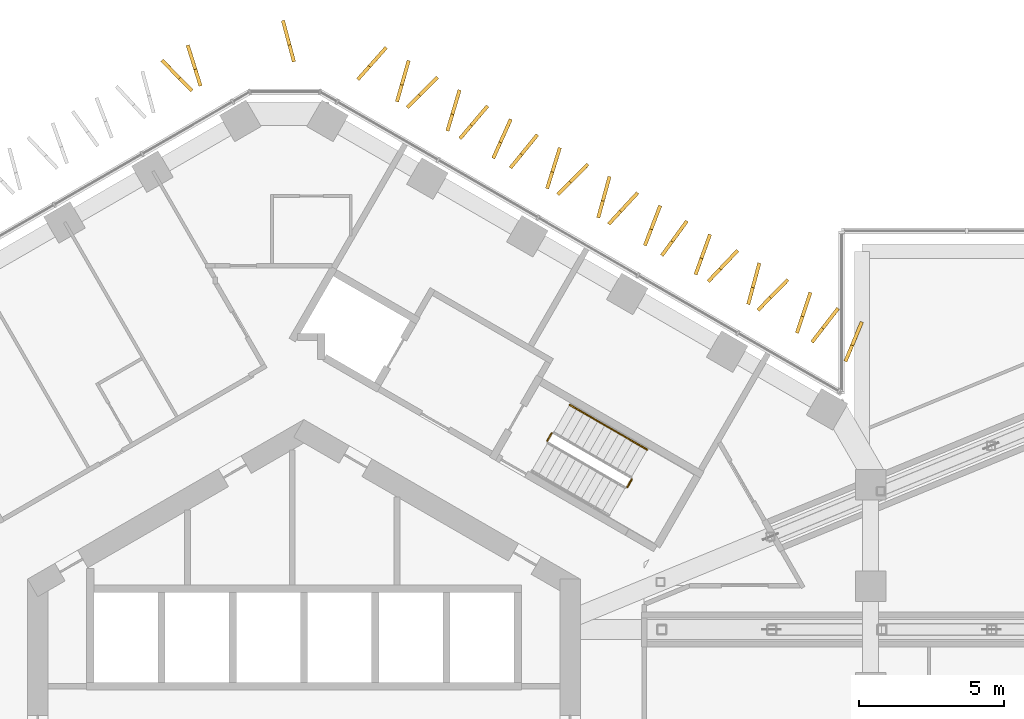
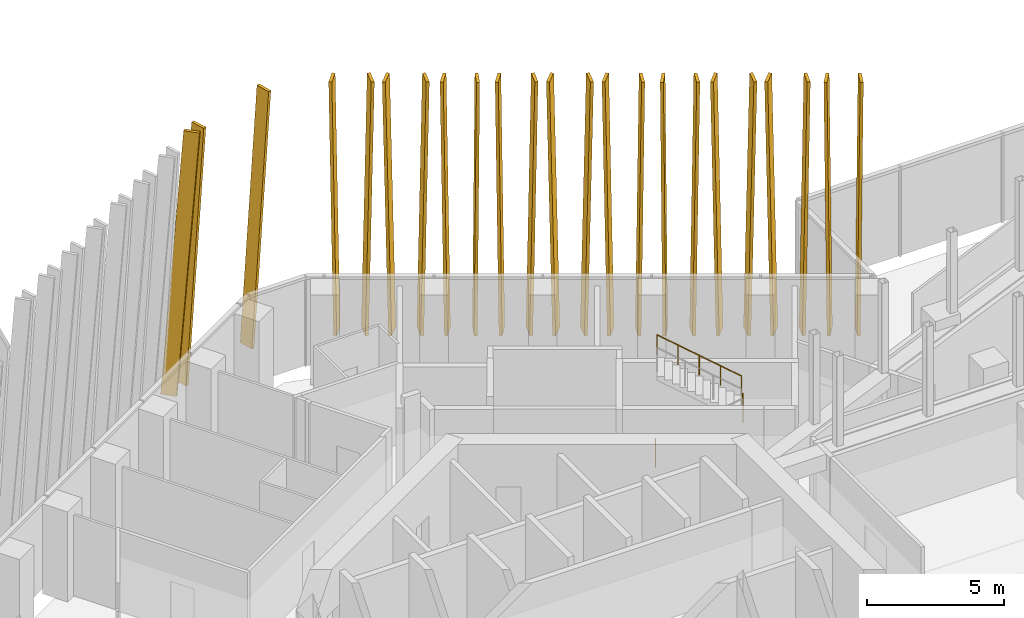
# One storey, part 28 of 28: 23 shading devices, 4 railings.
"""IFC4 building model written with IfcOpenShell, lengths in metres."""

from ifc_helpers import new_model, si_unit, direction, frame, origin, origin_2d, place, context, subcontext, project, spatial, polyline, circle, outline, extrude, material, layer, layer_set, type_object, element, save


model = new_model("IFC4")

# Units and contexts
model_context = context("Model", 3, precision=1e-05, world=origin(), true_north=direction((0.0, 1.0)))
body_context = subcontext(model_context, "Body", "Model", "MODEL_VIEW")
ifc_project = project(units=[si_unit("LENGTHUNIT", "METRE"), si_unit("AREAUNIT", "SQUARE_METRE"), si_unit("VOLUMEUNIT", "CUBIC_METRE"), si_unit("PLANEANGLEUNIT", "RADIAN"), si_unit("MASSUNIT", "GRAM", prefix="KILO")], contexts=[model_context])

# Site, building, storey
site_placement = place(None, origin())
site = spatial("IfcSite", under=ifc_project, at=site_placement, CompositionType="ELEMENT")
building_placement = place(site_placement, origin())
building = spatial("IfcBuilding", under=site, at=building_placement, Name="Ayvan Gate Tower", CompositionType="ELEMENT")
storey_placement = place(building_placement, frame((0.0, 0.0, 120.5)))
storey = spatial("IfcBuildingStorey", under=building, at=storey_placement, Name="L32", CompositionType="ELEMENT", Elevation=120.5)

# Shading devices
ifc_material_1 = material(Name="Bronze anodised aluminium", Category="aluminium")
ifc_layer = layer(ifc_material_1, 0.1201171875)
ifc_layer_set = layer_set([ifc_layer], Name="Bronze anodised aluminium")
shading_device_type = type_object("IfcShadingDeviceType", Name="Bronze fin 600 x 120", PredefinedType="USERDEFINED", material=ifc_layer_set)
shading_device_1_placement = place(storey_placement, frame((19.00537109375, 13.7470703125, 0.0), z_axis=(0.923845677537, -0.382765136442, 0.000120082659), x_axis=(0.382765139199, 0.923845684199, 2.2577e-08)))
element("IfcShadingDevice", 1, at=shading_device_1_placement, inside=storey, type_object=shading_device_type, Name="Bronze fin FG11.6.73", ObjectType="FIN", PredefinedType="USERDEFINED", context=body_context, shape_type="SweptSolid", body=[
    extrude(outline(polyline([(0.0, 0.0), (0.5998361655224207, 0.0), (-0.2714630133606965, 11.87988290428173), (-0.8713926274034297, 11.879882931368275), (0.0, 0.0)])), origin(), (0.0, 0.0, -1.0), 0.1201171875),
])
shading_device_2_placement = place(storey_placement, frame((18.046875, 14.2822265625, 0.0), z_axis=(0.792268362819, -0.610172783794, 0.000123258537), x_axis=(0.610172788427, 0.792268368839, 1.9871e-08)))
element("IfcShadingDevice", 2, at=shading_device_2_placement, inside=storey, type_object=shading_device_type, Name="Bronze fin FG11.6.74", ObjectType="FIN", PredefinedType="USERDEFINED", context=body_context, shape_type="SweptSolid", body=[
    extrude(outline(polyline([(0.0, 0.0), (0.5999012509721946, -6.776263578034403e-21), (-0.2713785173449857, 11.879882908136116), (-0.8714287362831049, 11.879882931980346), (0.0, 0.0)])), origin(), (0.0, 0.0, -1.0), 0.1201171875),
])
shading_device_3_placement = place(storey_placement, frame((17.28125, 14.751953125, 0.0), z_axis=(0.949312108508, -0.314335020927, 0.000123531062), x_axis=(0.314335023322, 0.949312115752, 2.386e-08)))
element("IfcShadingDevice", 3, at=shading_device_3_placement, inside=storey, type_object=shading_device_type, Name="Bronze fin FG11.6.75", ObjectType="FIN", PredefinedType="USERDEFINED", context=body_context, shape_type="SweptSolid", body=[
    extrude(outline(polyline([(0.0, 0.0), (0.5999540537240066, 3.3881317890172014e-21), (-0.27129234133792024, 11.879882909616194), (-0.8713231370109802, 11.879882938248283), (0.0, 0.0)])), origin(), (0.0, 0.0, -1.0), 0.1201171875),
])
shading_device_4_placement = place(storey_placement, frame((16.263916015625, 15.312255859375, 0.0), z_axis=(0.715399826009, -0.698715302195, 0.0001241977), x_axis=(0.698715307583, 0.715399831527, 0.0)))
element("IfcShadingDevice", 4, at=shading_device_4_placement, inside=storey, type_object=shading_device_type, Name="Bronze fin FG11.6.76", ObjectType="FIN", PredefinedType="USERDEFINED", context=body_context, shape_type="SweptSolid", body=[
    extrude(outline(polyline([(0.0, 0.0), (0.599943136461154, 0.0), (-0.2713813286036054, 11.879882904124004), (-0.8713244650647596, 11.879882904124004), (0.0, 0.0)])), origin(), (0.0, 0.0, -1.0), 0.1201171875),
])
shading_device_5_placement = place(storey_placement, frame((15.559814453125, 15.7548828125, 0.0), z_axis=(0.965706066065, -0.259637787674, 0.000114793979), x_axis=(0.259637789384, 0.965706072428, 0.0)))
element("IfcShadingDevice", 5, at=shading_device_5_placement, inside=storey, type_object=shading_device_type, Name="Bronze fin FG11.6.77", ObjectType="FIN", PredefinedType="USERDEFINED", context=body_context, shape_type="SweptSolid", body=[
    extrude(outline(polyline([(0.0, 0.0), (0.599919291869627, -3.3881317890172014e-21), (-0.27137949700230046, 11.879882890774516), (-0.8712987888719276, 11.879882890774516), (0.0, 0.0)])), origin(), (0.0, 0.0, -1.0), 0.1201171875),
])
shading_device_6_placement = place(storey_placement, frame((14.54296875, 16.305419921875, 0.0), z_axis=(0.725578302546, -0.688139601573, 0.000124984673), x_axis=(0.688139606948, 0.725578308213, 0.0)))
element("IfcShadingDevice", 6, at=shading_device_6_placement, inside=storey, type_object=shading_device_type, Name="Bronze fin FG11.6.78", ObjectType="FIN", PredefinedType="USERDEFINED", context=body_context, shape_type="SweptSolid", body=[
    extrude(outline(polyline([(0.0, 0.0), (0.5999390134016378, 0.0), (-0.27126297874266503, 11.879882905288827), (-0.8712019921443028, 11.879882905288827), (0.0, 0.0)])), origin(), (0.0, 0.0, -1.0), 0.1201171875),
])
shading_device_7_placement = place(storey_placement, frame((13.814697265625, 16.749755859375, 0.0), z_axis=(0.941105056333, -0.338114267969, 0.000121410706), x_axis=(0.338114270461, 0.941105063269, 0.0)))
element("IfcShadingDevice", 7, at=shading_device_7_placement, inside=storey, type_object=shading_device_type, Name="Bronze fin FG11.6.79", ObjectType="FIN", PredefinedType="USERDEFINED", context=body_context, shape_type="SweptSolid", body=[
    extrude(outline(polyline([(0.0, 0.0), (0.600036369651949, 0.0), (-0.27109231397345007, 11.879882900058062), (-0.8711286836253991, 11.879882900058062), (0.0, 0.0)])), origin(), (0.0, 0.0, -1.0), 0.1201171875),
])
shading_device_8_placement = place(storey_placement, frame((12.86474609375, 17.27490234375, 0.0), z_axis=(0.809588682714, -0.586997574675, 0.000110212496), x_axis=(0.586997578239, 0.809588687632, 4.993e-09)))
element("IfcShadingDevice", 8, at=shading_device_8_placement, inside=storey, type_object=shading_device_type, Name="Bronze fin FG11.6.80", ObjectType="FIN", PredefinedType="USERDEFINED", context=body_context, shape_type="SweptSolid", body=[
    extrude(outline(polyline([(0.0, 0.0), (0.5997857440235584, 0.0), (-0.2714497604381098, 11.879882886006568), (-0.8715764679054845, 11.879882891997607), (0.0, 0.0)])), origin(), (0.0, 0.0, -1.0), 0.1201171875),
])
shading_device_9_placement = place(storey_placement, frame((12.09033203125, 17.74267578125, 0.0), z_axis=(0.93382203338, -0.357737880733, 0.000136614407), x_axis=(0.35773788407, 0.933822042094, 9.943e-09)))
element("IfcShadingDevice", 9, at=shading_device_9_placement, inside=storey, type_object=shading_device_type, Name="Bronze fin FG11.6.81", ObjectType="FIN", PredefinedType="USERDEFINED", context=body_context, shape_type="SweptSolid", body=[
    extrude(outline(polyline([(0.0, 0.0), (0.5999934537851288, 6.776263578034403e-21), (-0.2714758928074142, 11.879882926059405), (-0.8712413626955473, 11.879882937988816), (0.0, 0.0)])), origin(), (0.0, 0.0, -1.0), 0.1201171875),
])
shading_device_10_placement = place(storey_placement, frame((11.1123046875, 18.285888671875, 0.0), z_axis=(0.735310261966, -0.677730626068, 0.000130912034), x_axis=(0.677730631877, 0.735310268265, -1.9583e-08)))
element("IfcShadingDevice", 10, at=shading_device_10_placement, inside=storey, type_object=shading_device_type, Name="Bronze fin FG11.6.82", ObjectType="FIN", PredefinedType="USERDEFINED", context=body_context, shape_type="SweptSolid", body=[
    extrude(outline(polyline([(0.0, 0.0), (0.6000500213529086, -6.776263578034403e-21), (-0.27136914549724156, 11.879882908984344), (-0.8712537052701022, 11.879882885486373), (0.0, 0.0)])), origin(), (0.0, 0.0, -1.0), 0.1201171875),
])
shading_device_11_placement = place(storey_placement, frame((10.406494140625, 18.7294921875, 0.0), z_axis=(0.964660437844, -0.263496154188, 0.000128012531), x_axis=(0.26349615635, 0.964660445747, -1.8259e-08)))
element("IfcShadingDevice", 11, at=shading_device_11_placement, inside=storey, type_object=shading_device_type, Name="Bronze fin FG11.6.83", ObjectType="FIN", PredefinedType="USERDEFINED", context=body_context, shape_type="SweptSolid", body=[
    extrude(outline(polyline([(0.0, 0.0), (0.6000867739699478, 3.3881317890172014e-21), (-0.27146913491425306, 11.879882904882404), (-0.8712560659637671, 11.87988288297435), (0.0, 0.0)])), origin(), (0.0, 0.0, -1.0), 0.1201171875),
])
shading_device_12_placement = place(storey_placement, frame((9.384765625, 19.2841796875, 0.0), z_axis=(0.710253259484, -0.703946226816, 0.000130939728), x_axis=(0.703946232852, 0.710253265571, -1.8756e-08)))
element("IfcShadingDevice", 12, at=shading_device_12_placement, inside=storey, type_object=shading_device_type, Name="Bronze fin FG11.6.84", ObjectType="FIN", PredefinedType="USERDEFINED", context=body_context, shape_type="SweptSolid", body=[
    extrude(outline(polyline([(0.0, 0.0), (0.599906965638277, -6.776263578034403e-21), (-0.27137583285831435, 11.879882909251672), (-0.871456200172756, 11.879882886744873), (0.0, 0.0)])), origin(), (0.0, 0.0, -1.0), 0.1201171875),
])
shading_device_13_placement = place(storey_placement, frame((8.67724609375, 19.72216796875, 0.0), z_axis=(0.954877282543, -0.297000603433, 0.00012978068), x_axis=(0.297000605934, 0.954877290585, 0.0)))
element("IfcShadingDevice", 13, at=shading_device_13_placement, inside=storey, type_object=shading_device_type, Name="Bronze fin FG11.6.85", ObjectType="FIN", PredefinedType="USERDEFINED", context=body_context, shape_type="SweptSolid", body=[
    extrude(outline(polyline([(0.0, 0.0), (0.6000750594078798, 0.0), (-0.2712420054500185, 11.879882912546584), (-0.8713170648578983, 11.879882912546584), (0.0, 0.0)])), origin(), (0.0, 0.0, -1.0), 0.1201171875),
])
shading_device_14_placement = place(storey_placement, frame((7.696044921875, 20.2578125, 0.0), z_axis=(0.776263308326, -0.630408803067, 0.000131008618), x_axis=(0.630408808474, 0.776263314989, 2.069e-08)))
element("IfcShadingDevice", 14, at=shading_device_14_placement, inside=storey, type_object=shading_device_type, Name="Bronze fin FG11.6.86", ObjectType="FIN", PredefinedType="USERDEFINED", context=body_context, shape_type="SweptSolid", body=[
    extrude(outline(polyline([(0.0, 0.0), (0.6000033323549984, -6.776263578034403e-21), (-0.2711111150997367, 11.879882920058101), (-0.8712683558552415, 11.8798829448897), (0.0, 0.0)])), origin(), (0.0, 0.0, -1.0), 0.1201171875),
])
shading_device_15_placement = place(storey_placement, frame((6.919921875, 20.72119140625, 0.0), z_axis=(0.912548596802, -0.408968267463, 0.000121176898), x_axis=(0.408968270464, 0.912548603502, 1.0081e-08)))
element("IfcShadingDevice", 15, at=shading_device_15_placement, inside=storey, type_object=shading_device_type, Name="Bronze fin FG11.6.87", ObjectType="FIN", PredefinedType="USERDEFINED", context=body_context, shape_type="SweptSolid", body=[
    extrude(outline(polyline([(0.0, 0.0), (0.6000633861014633, 0.0), (-0.27139260268431425, 11.879882902457181), (-0.8712331985993758, 11.879882914553935), (0.0, 0.0)])), origin(), (0.0, 0.0, -1.0), 0.1201171875),
])
shading_device_16_placement = place(storey_placement, frame((5.972900390625, 21.252685546875, 0.0), z_axis=(0.763918473622, -0.64531275588, 0.000112945762), x_axis=(0.645312759998, 0.763918478494, -1.483e-08)))
element("IfcShadingDevice", 16, at=shading_device_16_placement, inside=storey, type_object=shading_device_type, Name="Bronze fin FG11.6.88", ObjectType="FIN", PredefinedType="USERDEFINED", context=body_context, shape_type="SweptSolid", body=[
    extrude(outline(polyline([(0.0, 0.0), (0.5999367728244758, 6.776263578034403e-21), (-0.2711870937303049, 11.879882884252583), (-0.8713103700895692, 11.879882866455544), (0.0, 0.0)])), origin(), (0.0, 0.0, -1.0), 0.1201171875),
])
shading_device_17_placement = place(storey_placement, frame((5.2392578125, 21.709228515625, 0.0), z_axis=(0.95869541558, -0.284434675505, 0.000124566977), x_axis=(0.284434677712, 0.958695423018, 0.0)))
element("IfcShadingDevice", 17, at=shading_device_17_placement, inside=storey, type_object=shading_device_type, Name="Bronze fin FG11.6.89", ObjectType="FIN", PredefinedType="USERDEFINED", context=body_context, shape_type="SweptSolid", body=[
    extrude(outline(polyline([(0.0, 0.0), (0.5999771133667294, 3.3881317890172014e-21), (-0.27139645906102944, 11.879882904669666), (-0.8713735724277589, 11.879882904669666), (0.0, 0.0)])), origin(), (0.0, 0.0, -1.0), 0.1201171875),
])
shading_device_18_placement = place(storey_placement, frame((4.208251953125, 22.27294921875, 0.0), z_axis=(0.707513510259, -0.706699808695, 0.000114856334), x_axis=(0.706699813356, 0.707513514926, 0.0)))
element("IfcShadingDevice", 18, at=shading_device_18_placement, inside=storey, type_object=shading_device_type, Name="Bronze fin FG11.6.90", ObjectType="FIN", PredefinedType="USERDEFINED", context=body_context, shape_type="SweptSolid", body=[
    extrude(outline(polyline([(0.0, 0.0), (0.600074115784975, 0.0), (-0.27120647495357014, 11.879882890859573), (-0.8712805907385452, 11.879882890859573), (0.0, 0.0)])), origin(), (0.0, 0.0, -1.0), 0.1201171875),
])
shading_device_19_placement = place(storey_placement, frame((3.49560546875, 22.71826171875, 0.0), z_axis=(0.962629384897, -0.27082217529, 0.000129246567), x_axis=(0.270822177556, 0.962629392936, -3.2442e-08)))
element("IfcShadingDevice", 19, at=shading_device_19_placement, inside=storey, type_object=shading_device_type, Name="Bronze fin FG11.6.91", ObjectType="FIN", PredefinedType="USERDEFINED", context=body_context, shape_type="SweptSolid", body=[
    extrude(outline(polyline([(0.0, 0.0), (0.5998501182971958, 3.3881317890172014e-21), (-0.27129691865129346, 11.879882902923368), (-0.8713159351944315, 11.879882863997143), (0.0, 0.0)])), origin(), (0.0, 0.0, -1.0), 0.1201171875),
])
shading_device_20_placement = place(storey_placement, frame((2.4765625, 23.271484375, 0.0), z_axis=(0.747768344061, -0.663959704846, 0.000118155269), x_axis=(0.663959709481, 0.747768349281, 0.0)))
element("IfcShadingDevice", 20, at=shading_device_20_placement, inside=storey, type_object=shading_device_type, Name="Bronze fin FG11.6.92", ObjectType="FIN", PredefinedType="USERDEFINED", context=body_context, shape_type="SweptSolid", body=[
    extrude(outline(polyline([(0.0, 0.0), (0.6000928886354551, 0.0), (-0.271255500314941, 11.879882895425547), (-0.8713483889503961, 11.879882895425547), (0.0, 0.0)])), origin(), (0.0, 0.0, -1.0), 0.1201171875),
])
shading_device_21_placement = place(storey_placement, frame((-0.508056640625, 24.125732421875, 0.0), z_axis=(0.966038788208, 0.258397064243, 0.000129879667), x_axis=(-0.258397066422, 0.966038796356, 0.0)))
element("IfcShadingDevice", 21, at=shading_device_21_placement, inside=storey, type_object=shading_device_type, Name="Bronze fin FG11.7.93", ObjectType="FIN", PredefinedType="USERDEFINED", context=body_context, shape_type="SweptSolid", body=[
    extrude(outline(polyline([(0.0, 0.0), (0.5999653905582442, -3.3881317890172014e-21), (-0.2712649613640221, 11.879882912699257), (-0.8712303519222662, 11.879882912699257), (0.0, 0.0)])), origin(), (0.0, 0.0, -1.0), 0.1201171875),
])
shading_device_22_placement = place(storey_placement, frame((-3.7568359375, 23.2861328125, 0.0), z_axis=(0.953665631107, 0.300868487288, 0.000131918167), x_axis=(-0.300868489909, 0.953665639404, 2.5591e-08)))
element("IfcShadingDevice", 22, at=shading_device_22_placement, inside=storey, type_object=shading_device_type, Name="Bronze fin FG11.8.94", ObjectType="FIN", PredefinedType="USERDEFINED", context=body_context, shape_type="SweptSolid", body=[
    extrude(outline(polyline([(0.0, 0.0), (0.600106186839766, -3.3881317890172014e-21), (-0.2711237458136823, 11.879882922807512), (-0.8711564784322792, 11.879882953519944), (0.0, 0.0)])), origin(), (0.0, 0.0, -1.0), 0.1201171875),
])
shading_device_23_placement = place(storey_placement, frame((-4.420654296875, 22.939208984375, 0.0), z_axis=(0.710860615307, 0.70333289843, 0.000139970328), x_axis=(-0.703332905318, 0.710860622272, -2.0246e-08)))
element("IfcShadingDevice", 23, at=shading_device_23_placement, inside=storey, type_object=shading_device_type, Name="Bronze fin FG11.8.95", ObjectType="FIN", PredefinedType="USERDEFINED", context=body_context, shape_type="SweptSolid", body=[
    extrude(outline(polyline([(0.0, 0.0), (0.5999103436276111, 6.776263578034403e-21), (-0.2713927849901908, 11.879882923378828), (-0.8714748407528893, 11.879882899083508), (0.0, 0.0)])), origin(), (0.0, 0.0, -1.0), 0.1201171875),
])

# Railings
ifc_material_2 = material(Name="Stainless steel balustrade", Category="steel")
railing_type_1 = type_object("IfcRailingType", Name="RL-GUARD-1100", PredefinedType="GUARDRAIL", material=ifc_material_2)
railing_1_placement = place(storey_placement, frame((11.11669921875, 8.644775390625, 2.0)))
element("IfcRailing", 24, at=railing_1_placement, inside=storey, type_object=railing_type_1, Name="L32 STS1 stair guard 2", PredefinedType="GUARDRAIL", context=body_context, shape_type="SweptSolid", body=[
    extrude(circle(Radius=0.02392578125, at=origin_2d()), frame((0.0, 0.0, 1.076171875), z_axis=(0.499949632511, 0.866054481515, 0.0), x_axis=(-0.866054481515, 0.499949632511, 0.0)), (0.0, 0.0, 1.0), 0.31005859375),
    extrude(circle(Radius=0.02099609375, at=origin_2d()), origin(), (0.0, 0.0, 1.0), 1.052001953125),
    extrude(circle(Radius=0.02099609375, at=origin_2d()), frame((0.155029296875, 0.2685546875, 0.0)), (0.0, 0.0, 1.0), 1.052001953125),
])
railing_2_placement = place(storey_placement, frame((8.36279296875, 10.23486328125, 0.0)))
element("IfcRailing", 25, at=railing_2_placement, inside=storey, type_object=railing_type_1, Name="L32 STS1 stair guard 4", PredefinedType="GUARDRAIL", context=body_context, shape_type="SweptSolid", body=[
    extrude(circle(Radius=0.02392578125, at=origin_2d()), frame((0.0, 0.0, 1.076171875), z_axis=(0.500290723946, 0.86585748916, 0.0), x_axis=(-0.86585748916, 0.500290723946, 0.0)), (0.0, 0.0, 1.0), 0.309814453125),
    extrude(circle(Radius=0.02099609375, at=origin_2d()), origin(), (0.0, 0.0, 1.0), 1.052001953125),
    extrude(circle(Radius=0.02099609375, at=origin_2d()), frame((0.155029296875, 0.268310546875, 0.0)), (0.0, 0.0, 1.0), 1.052001953125),
])
railing_type_2 = type_object("IfcRailingType", Name="RL-HANDRAIL-900", PredefinedType="HANDRAIL", material=ifc_material_2)
railing_3_placement = place(storey_placement, frame((11.803466796875, 9.93408203125, 2.166748046875)))
element("IfcRailing", 26, at=railing_3_placement, inside=storey, type_object=railing_type_2, Name="L32 STS1 stair handrail 3", PredefinedType="HANDRAIL", context=body_context, shape_type="SweptSolid", body=[
    extrude(circle(Radius=0.02392578125, at=origin_2d()), frame((0.0, 0.0, 0.8759765625), z_axis=(-0.744215763664, 0.42966438195, 0.511401423539), x_axis=(-0.499992328818, -0.866029832698, 0.0)), (0.0, 0.0, 1.0), 1.792236328125),
    extrude(circle(Radius=0.02099609375, at=origin_2d()), origin(), (0.0, 0.0, 1.0), 0.851806640625),
    extrude(circle(Radius=0.02099609375, at=origin_2d()), frame((-0.6669921875, 0.385009765625, 0.458251953125)), (0.0, 0.0, 1.0), 0.851806640625),
    extrude(circle(Radius=0.02099609375, at=origin_2d()), frame((-1.333740234375, 0.77001953125, 0.91650390625)), (0.0, 0.0, 1.0), 0.851806640625),
])
railing_4_placement = place(storey_placement, frame((10.4697265625, 10.7041015625, 3.083251953125)))
element("IfcRailing", 27, at=railing_4_placement, inside=storey, type_object=railing_type_2, Name="L32 STS1 stair handrail 4", PredefinedType="HANDRAIL", context=body_context, shape_type="SweptSolid", body=[
    extrude(circle(Radius=0.02392578125, at=origin_2d()), frame((0.0, 0.0, 0.8759765625), z_axis=(-0.7441639146, 0.429634447492, 0.511502013422), x_axis=(-0.499992328818, -0.866029832698, 0.0)), (0.0, 0.0, 1.0), 1.792236328125),
    extrude(circle(Radius=0.02099609375, at=origin_2d()), origin(), (0.0, 0.0, 1.0), 0.851806640625),
    extrude(circle(Radius=0.02099609375, at=origin_2d()), frame((-0.6669921875, 0.385009765625, 0.45849609375)), (0.0, 0.0, 1.0), 0.851806640625),
    extrude(circle(Radius=0.02099609375, at=origin_2d()), frame((-1.333740234375, 0.77001953125, 0.916748046875)), (0.0, 0.0, 1.0), 0.851806640625),
])

save(model, "model.ifc")
